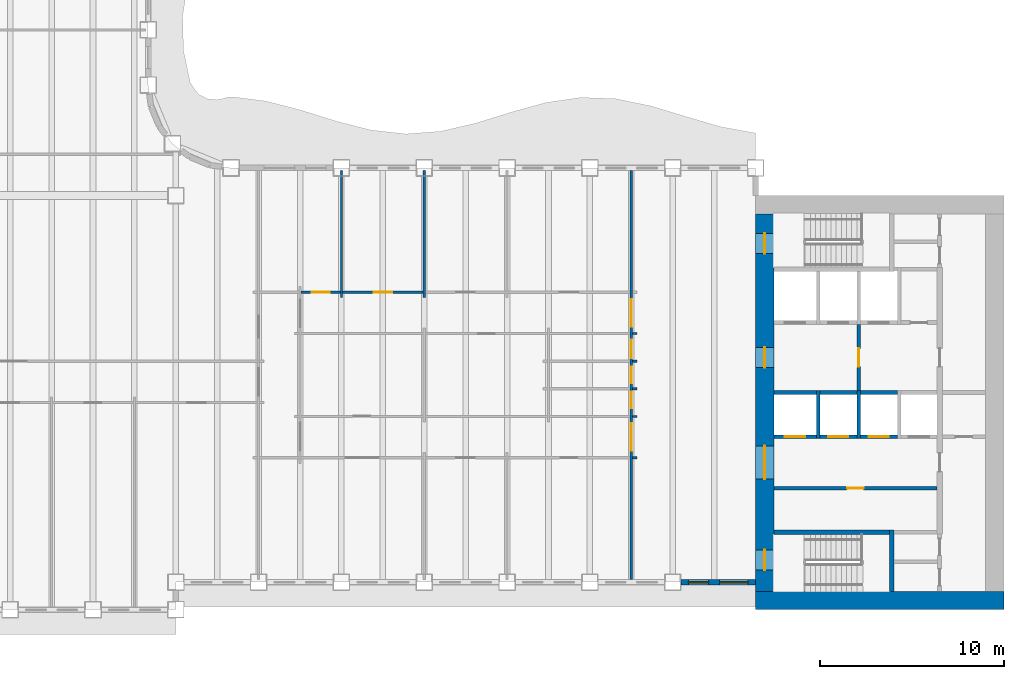
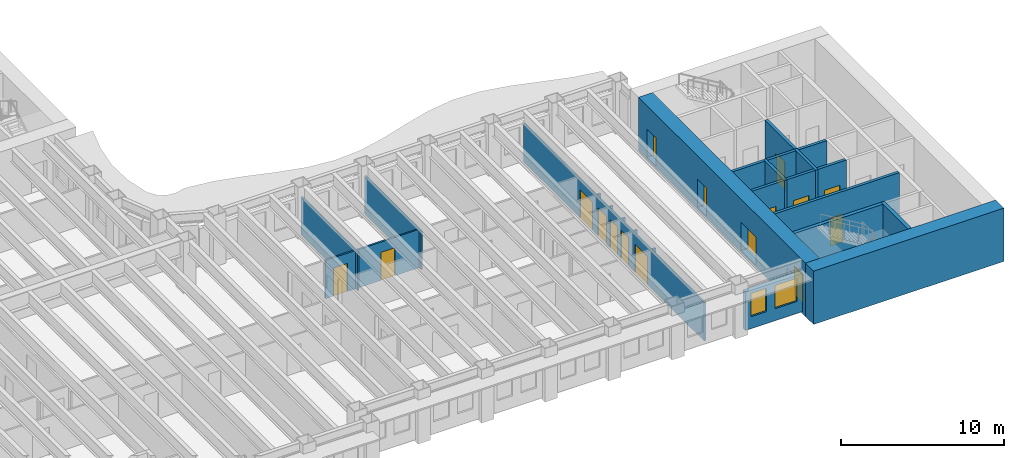
# One storey, part 6 of 16: 25 walls, 16 doors, 2 windows, 18 openings.
"""IFC4 building model written with IfcOpenShell, lengths in metres."""

from ifc_helpers import new_model, si_unit, direction, frame, frame_2d, origin, place, context, subcontext, project, spatial, rectangle, extrude, material, layer, layer_set, type_object, element, fill, save


model = new_model("IFC4")

# Units and contexts
model_context = context("Model", 3, precision=1e-05, world=origin(), true_north=direction((0.0, 1.0)))
body_context = subcontext(model_context, "Body", "Model", "MODEL_VIEW")
ifc_project = project(units=[si_unit("LENGTHUNIT", "METRE"), si_unit("AREAUNIT", "SQUARE_METRE"), si_unit("VOLUMEUNIT", "CUBIC_METRE"), si_unit("PLANEANGLEUNIT", "RADIAN"), si_unit("MASSUNIT", "GRAM", prefix="KILO")], contexts=[model_context])

# Site, building, storey
site_placement = place(None, origin())
site = spatial("IfcSite", under=ifc_project, at=site_placement, CompositionType="ELEMENT")
building_placement = place(site_placement, origin())
building = spatial("IfcBuilding", under=site, at=building_placement, Name="Sennacour Bend Tower", CompositionType="ELEMENT")
storey_placement = place(building_placement, frame((0.0, 0.0, 171.0)))
storey = spatial("IfcBuildingStorey", under=building, at=storey_placement, Name="L39", CompositionType="ELEMENT", Elevation=171.0)

# Wall
ifc_material_1 = material(Name="Concrete C60/75", Category="concrete")
ifc_layer_1 = layer(ifc_material_1, 1.0, Name="Concrete C60/75", Category="concrete")
ifc_layer_set_1 = layer_set([ifc_layer_1], Name="Concrete C60/75")
wall_type_1 = type_object("IfcWallType", Name="Core wall 1000 C60/75", PredefinedType="SHEAR", material=ifc_layer_set_1)
wall_1_placement = place(storey_placement, frame((67.5, 0.5, -0.14990234375), z_axis=(0.0, 0.0, 1.0), x_axis=(-1.0, 0.0, 0.0)))
element("IfcWall", 1, at=wall_1_placement, inside=storey, type_object=wall_type_1, Name="Core A wall L39 S", PredefinedType="SHEAR", context=body_context, shape_type="SweptSolid", body=[
    extrude(rectangle(XDim=13.5, YDim=1.0, at=frame_2d((6.75, 0.0))), origin(), (0.0, 0.0, 1.0), 4.0),
])

# Wall, openings, doors
wall_2_placement = place(storey_placement, frame((54.5, 1.0, -0.14990234375), z_axis=(0.0, 0.0, 1.0), x_axis=(0.0, 1.0, 0.0)))
wall_2 = element("IfcWall", 2, at=wall_2_placement, inside=storey, type_object=wall_type_1, Name="Core A wall L39 W", PredefinedType="SHEAR", context=body_context, shape_type="SweptSolid", body=[
    extrude(rectangle(XDim=20.5, YDim=1.0, at=frame_2d((10.25, 0.0))), origin(), (0.0, 0.0, 1.0), 4.0),
])
opening_1_placement = place(wall_2_placement, frame((6.10009765625, 0.0, 0.14990234375)))
opening_1 = element("IfcOpeningElement", 3, at=opening_1_placement, cuts=wall_2, Name="Opening CD", PredefinedType="OPENING", context=body_context, shape_type="SweptSolid", body=[
    extrude(rectangle(XDim=1.800048828125, YDim=2.10009765625, at=frame_2d((0.89990234375, 1.050048828125))), frame((0.0, 0.510009765625, 0.0), z_axis=(0.0, -1.0, 0.0), x_axis=(1.0, 0.0, 0.0)), (0.0, 0.0, 1.0), 1.02001953125),
])
opening_2_placement = place(wall_2_placement, frame((12.14990234375, 0.0, 0.14990234375)))
opening_2 = element("IfcOpeningElement", 4, at=opening_2_placement, cuts=wall_2, Name="Opening FD", PredefinedType="OPENING", context=body_context, shape_type="SweptSolid", body=[
    extrude(rectangle(XDim=1.10009765625, YDim=2.10009765625, at=frame_2d((0.550048828125, 1.050048828125))), frame((0.0, 0.510009765625, 0.0), z_axis=(0.0, -1.0, 0.0), x_axis=(1.0, 0.0, 0.0)), (0.0, 0.0, 1.0), 1.02001953125),
])
opening_3_placement = place(wall_2_placement, frame((1.14990234375, 0.0, 0.14990234375)))
opening_3 = element("IfcOpeningElement", 5, at=opening_3_placement, cuts=wall_2, Name="Opening SD", PredefinedType="OPENING", context=body_context, shape_type="SweptSolid", body=[
    extrude(rectangle(XDim=1.10009765625, YDim=2.10009765625, at=frame_2d((0.550048828125, 1.050048828125))), frame((0.0, 0.510009765625, 0.0), z_axis=(0.0, -1.0, 0.0), x_axis=(1.0, 0.0, 0.0)), (0.0, 0.0, 1.0), 1.02001953125),
])
opening_4_placement = place(wall_2_placement, frame((18.35009765625, 0.0, 0.14990234375)))
opening_4 = element("IfcOpeningElement", 6, at=opening_4_placement, cuts=wall_2, Name="Opening SD", PredefinedType="OPENING", context=body_context, shape_type="SweptSolid", body=[
    extrude(rectangle(XDim=1.10009765625, YDim=2.10009765625, at=frame_2d((0.550048828125, 1.050048828125))), frame((0.0, 0.510009765625, 0.0), z_axis=(0.0, -1.0, 0.0), x_axis=(1.0, 0.0, 0.0)), (0.0, 0.0, 1.0), 1.02001953125),
])
ifc_material_2 = material(Name="Painted steel", Category="steel")
door_type_1 = type_object("IfcDoorType", Name="DR-FFL-1100", OperationType="NOTDEFINED", PredefinedType="DOOR", material=ifc_material_2)
door_1_placement = place(opening_2_placement, origin())
door_1 = element("IfcDoor", 7, at=door_1_placement, inside=storey, type_object=door_type_1, Name="Door", OperationType="SINGLE_SWING_RIGHT", OverallHeight=2.10009765625, OverallWidth=1.10009765625, PredefinedType="DOOR", context=body_context, shape_type="SweptSolid", body=[
    extrude(rectangle(XDim=1.10009765625, YDim=2.10009765625, at=frame_2d((0.550048828125, 1.050048828125))), frame((0.0, 0.02490234375, 0.0), z_axis=(0.0, -1.0, 0.0), x_axis=(1.0, 0.0, 0.0)), (0.0, 0.0, 1.0), 0.050048828125),
])
fill(opening_2, door_1)
door_type_2 = type_object("IfcDoorType", Name="DR-LOBBY-1800", OperationType="NOTDEFINED", PredefinedType="DOOR", material=ifc_material_2)
door_2_placement = place(opening_1_placement, origin())
door_2 = element("IfcDoor", 8, at=door_2_placement, inside=storey, type_object=door_type_2, Name="Door", OperationType="DOUBLE_DOOR_SINGLE_SWING", OverallHeight=2.10009765625, OverallWidth=1.800048828125, PredefinedType="DOOR", context=body_context, shape_type="SweptSolid", body=[
    extrude(rectangle(XDim=1.800048828125, YDim=2.10009765625, at=frame_2d((0.89990234375, 1.050048828125))), frame((0.0, 0.02490234375, 0.0), z_axis=(0.0, -1.0, 0.0), x_axis=(1.0, 0.0, 0.0)), (0.0, 0.0, 1.0), 0.050048828125),
])
fill(opening_1, door_2)
door_type_3 = type_object("IfcDoorType", Name="DR-STAIR-1100", OperationType="NOTDEFINED", PredefinedType="DOOR", material=ifc_material_2)
door_3_placement = place(opening_3_placement, origin())
door_3 = element("IfcDoor", 9, at=door_3_placement, inside=storey, type_object=door_type_3, Name="Door", OperationType="SINGLE_SWING_LEFT", OverallHeight=2.10009765625, OverallWidth=1.10009765625, PredefinedType="DOOR", context=body_context, shape_type="SweptSolid", body=[
    extrude(rectangle(XDim=1.10009765625, YDim=2.10009765625, at=frame_2d((0.550048828125, 1.050048828125))), frame((0.0, 0.02490234375, 0.0), z_axis=(0.0, -1.0, 0.0), x_axis=(1.0, 0.0, 0.0)), (0.0, 0.0, 1.0), 0.050048828125),
])
fill(opening_3, door_3)
door_4_placement = place(opening_4_placement, origin())
door_4 = element("IfcDoor", 10, at=door_4_placement, inside=storey, type_object=door_type_3, Name="Door", OperationType="SINGLE_SWING_RIGHT", OverallHeight=2.10009765625, OverallWidth=1.10009765625, PredefinedType="DOOR", context=body_context, shape_type="SweptSolid", body=[
    extrude(rectangle(XDim=1.10009765625, YDim=2.10009765625, at=frame_2d((0.550048828125, 1.050048828125))), frame((0.0, 0.02490234375, 0.0), z_axis=(0.0, -1.0, 0.0), x_axis=(1.0, 0.0, 0.0)), (0.0, 0.0, 1.0), 0.050048828125),
])
fill(opening_4, door_4)

# Walls
ifc_material_3 = material(Name="Plasterboard partition on steel studs", Category="steel")
ifc_layer_2 = layer(ifc_material_3, 0.1201171875, Name="Plasterboard partition on steel studs", Category="steel")
ifc_layer_set_2 = layer_set([ifc_layer_2], Name="Plasterboard partition on steel studs")
wall_type_2 = type_object("IfcWallType", Name="Partition 120", PredefinedType="PARTITIONING", material=ifc_layer_set_2)
for number, where, z_axis, x_axis, name in (
    (11, (31.5, 16.949951171875, 0.0), (0.0, 0.0, 1.0), (0.0, 1.0, 0.0), "P-L39-W029a"),
    (12, (36.0, 16.949951171875, 0.0), (0.0, 0.0, 1.0), (0.0, 1.0, 0.0), "P-L39-W032a"),
):
    element("IfcWall", number, at=place(storey_placement, frame(where, z_axis=z_axis, x_axis=x_axis)), inside=storey, type_object=wall_type_2, Name=name, PredefinedType="PARTITIONING", context=body_context, shape_type="SweptSolid", body=[
        extrude(rectangle(XDim=6.900146484375, YDim=0.1201171875, at=frame_2d((3.4501953125, 0.0))), origin(), (0.0, 0.0, 1.0), 2.8701171875),
    ])
for number, where, z_axis, x_axis, name in (
    (13, (47.31005859375, 8.25, 0.0), (0.0, 0.0, 1.0), (1.0, 0.0, 0.0), "P-L39-W060af"),
    (14, (47.31005859375, 10.5, 0.0), (0.0, 0.0, 1.0), (1.0, 0.0, 0.0), "P-L39-W063ae"),
    (15, (47.31005859375, 12.0, 0.0), (0.0, 0.0, 1.0), (1.0, 0.0, 0.0), "P-L39-W067ac"),
    (16, (47.31005859375, 13.5, 0.0), (0.0, 0.0, 1.0), (1.0, 0.0, 0.0), "P-L39-W069ac"),
    (17, (47.31005859375, 15.0, 0.0), (0.0, 0.0, 1.0), (1.0, 0.0, 0.0), "P-L39-W070ae"),
):
    element("IfcWall", number, at=place(storey_placement, frame(where, z_axis=z_axis, x_axis=x_axis)), inside=storey, type_object=wall_type_2, Name=name, PredefinedType="PARTITIONING", context=body_context, shape_type="SweptSolid", body=[
        extrude(rectangle(XDim=0.239990234375, YDim=0.1201171875, at=frame_2d((0.1201171875, 0.0))), origin(), (0.0, 0.0, 1.0), 2.8701171875),
    ])

# Wall, opening, door
wall_3_placement = place(storey_placement, frame((29.31005859375, 17.25, 0.0), z_axis=(0.0, 0.0, 1.0), x_axis=(1.0, 0.0, 0.0)))
wall_3 = element("IfcWall", 18, at=wall_3_placement, inside=storey, type_object=wall_type_2, Name="P-L39-W073ac", PredefinedType="PARTITIONING", context=body_context, shape_type="SweptSolid", body=[
    extrude(rectangle(XDim=2.1298828125, YDim=0.1201171875, at=frame_2d((1.06494140625, 0.0))), origin(), (0.0, 0.0, 1.0), 2.8701171875),
])
opening_5_placement = place(wall_3_placement, frame((0.56494140625, 0.0, 0.0)))
opening_5 = element("IfcOpeningElement", 19, at=opening_5_placement, cuts=wall_3, Name="Opening OD2", PredefinedType="OPENING", context=body_context, shape_type="SweptSolid", body=[
    extrude(rectangle(XDim=1.0, YDim=2.10009765625, at=frame_2d((0.5, 1.050048828125))), frame((0.0, 0.070068359375, 0.0), z_axis=(0.0, -1.0, 0.0), x_axis=(1.0, 0.0, 0.0)), (0.0, 0.0, 1.0), 0.14013671875),
])
ifc_material_4 = material(Name="Timber", Category="wood")
door_type_4 = type_object("IfcDoorType", Name="DR-OFFICE-1000", OperationType="NOTDEFINED", PredefinedType="DOOR", material=ifc_material_4)
door_5_placement = place(opening_5_placement, origin())
door_5 = element("IfcDoor", 20, at=door_5_placement, inside=storey, type_object=door_type_4, Name="Door", OperationType="SINGLE_SWING_LEFT", OverallHeight=2.10009765625, OverallWidth=1.0, PredefinedType="DOOR", context=body_context, shape_type="SweptSolid", body=[
    extrude(rectangle(XDim=1.0, YDim=2.10009765625, at=frame_2d((0.5, 1.050048828125))), frame((0.0, 0.02490234375, 0.0), z_axis=(0.0, -1.0, 0.0), x_axis=(1.0, 0.0, 0.0)), (0.0, 0.0, 1.0), 0.050048828125),
])
fill(opening_5, door_5)

wall_4_placement = place(storey_placement, frame((31.56005859375, 17.25, 0.0), z_axis=(0.0, 0.0, 1.0), x_axis=(1.0, 0.0, 0.0)))
wall_4 = element("IfcWall", 21, at=wall_4_placement, inside=storey, type_object=wall_type_2, Name="P-L39-W073ad", PredefinedType="PARTITIONING", context=body_context, shape_type="SweptSolid", body=[
    extrude(rectangle(XDim=4.3798828125, YDim=0.1201171875, at=frame_2d((2.18994140625, 0.0))), origin(), (0.0, 0.0, 1.0), 2.8701171875),
])
opening_6_placement = place(wall_4_placement, frame((1.68994140625, 0.0, 0.0)))
opening_6 = element("IfcOpeningElement", 22, at=opening_6_placement, cuts=wall_4, Name="Opening OD2", PredefinedType="OPENING", context=body_context, shape_type="SweptSolid", body=[
    extrude(rectangle(XDim=1.0, YDim=2.10009765625, at=frame_2d((0.5, 1.050048828125))), frame((0.0, 0.070068359375, 0.0), z_axis=(0.0, -1.0, 0.0), x_axis=(1.0, 0.0, 0.0)), (0.0, 0.0, 1.0), 0.14013671875),
])
door_6_placement = place(opening_6_placement, origin())
door_6 = element("IfcDoor", 23, at=door_6_placement, inside=storey, type_object=door_type_4, Name="Door", OperationType="SINGLE_SWING_LEFT", OverallHeight=2.10009765625, OverallWidth=1.0, PredefinedType="DOOR", context=body_context, shape_type="SweptSolid", body=[
    extrude(rectangle(XDim=1.0, YDim=2.10009765625, at=frame_2d((0.5, 1.050048828125))), frame((0.0, 0.02490234375, 0.0), z_axis=(0.0, -1.0, 0.0), x_axis=(1.0, 0.0, 0.0)), (0.0, 0.0, 1.0), 0.050048828125),
])
fill(opening_6, door_6)

# Wall, openings, doors
ifc_layer_3 = layer(ifc_material_3, 0.1201171875, Name="Plasterboard partition on steel studs", Category="steel")
ifc_layer_set_3 = layer_set([ifc_layer_3], Name="Plasterboard partition on steel studs")
wall_type_3 = type_object("IfcWallType", Name="Partition 120 EI 30", PredefinedType="PARTITIONING", material=ifc_layer_set_3)
wall_5_placement = place(storey_placement, frame((47.25, 1.64990234375, 0.0), z_axis=(0.0, 0.0, 1.0), x_axis=(0.0, 1.0, 0.0)))
wall_5 = element("IfcWall", 24, at=wall_5_placement, inside=storey, type_object=wall_type_3, Name="P-L39-W036a", PredefinedType="PARTITIONING", context=body_context, shape_type="SweptSolid", body=[
    extrude(rectangle(XDim=22.2001953125, YDim=0.1201171875, at=frame_2d((11.10009765625, 0.0))), origin(), (0.0, 0.0, 1.0), 2.8701171875),
])
opening_7_placement = place(wall_5_placement, frame((6.97509765625, 0.0, 0.0)))
opening_7 = element("IfcOpeningElement", 25, at=opening_7_placement, cuts=wall_5, Name="Opening KD", PredefinedType="OPENING", context=body_context, shape_type="SweptSolid", body=[
    extrude(rectangle(XDim=1.5, YDim=2.10009765625, at=frame_2d((0.75, 1.050048828125))), frame((0.0, 0.070068359375, 0.0), z_axis=(0.0, -1.0, 0.0), x_axis=(1.0, 0.0, 0.0)), (0.0, 0.0, 1.0), 0.14013671875),
])
opening_8_placement = place(wall_5_placement, frame((13.72509765625, 0.0, 0.0)))
opening_8 = element("IfcOpeningElement", 26, at=opening_8_placement, cuts=wall_5, Name="Opening KD", PredefinedType="OPENING", context=body_context, shape_type="SweptSolid", body=[
    extrude(rectangle(XDim=1.5, YDim=2.10009765625, at=frame_2d((0.75, 1.050048828125))), frame((0.0, 0.070068359375, 0.0), z_axis=(0.0, -1.0, 0.0), x_axis=(1.0, 0.0, 0.0)), (0.0, 0.0, 1.0), 0.14013671875),
])
opening_9_placement = place(wall_5_placement, frame((9.2900390625, 0.0, 0.0)))
opening_9 = element("IfcOpeningElement", 27, at=opening_9_placement, cuts=wall_5, Name="Opening WD", PredefinedType="OPENING", context=body_context, shape_type="SweptSolid", body=[
    extrude(rectangle(XDim=0.89990234375, YDim=2.10009765625, at=frame_2d((0.449951171875, 1.050048828125))), frame((0.0, 0.070068359375, 0.0), z_axis=(0.0, -1.0, 0.0), x_axis=(1.0, 0.0, 0.0)), (0.0, 0.0, 1.0), 0.14013671875),
])
opening_10_placement = place(wall_5_placement, frame((10.650146484375, 0.0, 0.0)))
opening_10 = element("IfcOpeningElement", 28, at=opening_10_placement, cuts=wall_5, Name="Opening WD", PredefinedType="OPENING", context=body_context, shape_type="SweptSolid", body=[
    extrude(rectangle(XDim=0.89990234375, YDim=2.10009765625, at=frame_2d((0.449951171875, 1.050048828125))), frame((0.0, 0.070068359375, 0.0), z_axis=(0.0, -1.0, 0.0), x_axis=(1.0, 0.0, 0.0)), (0.0, 0.0, 1.0), 0.14013671875),
])
opening_11_placement = place(wall_5_placement, frame((12.010009765625, 0.0, 0.0)))
opening_11 = element("IfcOpeningElement", 29, at=opening_11_placement, cuts=wall_5, Name="Opening AD", PredefinedType="OPENING", context=body_context, shape_type="SweptSolid", body=[
    extrude(rectangle(XDim=1.0, YDim=2.10009765625, at=frame_2d((0.5, 1.050048828125))), frame((0.0, 0.070068359375, 0.0), z_axis=(0.0, -1.0, 0.0), x_axis=(1.0, 0.0, 0.0)), (0.0, 0.0, 1.0), 0.14013671875),
])
door_type_5 = type_object("IfcDoorType", Name="DR-ACC-WC-1000", OperationType="NOTDEFINED", PredefinedType="DOOR", material=ifc_material_4)
door_7_placement = place(opening_11_placement, origin())
door_7 = element("IfcDoor", 30, at=door_7_placement, inside=storey, type_object=door_type_5, Name="Door", OperationType="SINGLE_SWING_RIGHT", OverallHeight=2.10009765625, OverallWidth=1.0, PredefinedType="DOOR", context=body_context, shape_type="SweptSolid", body=[
    extrude(rectangle(XDim=1.0, YDim=2.10009765625, at=frame_2d((0.5, 1.050048828125))), frame((0.0, 0.02490234375, 0.0), z_axis=(0.0, -1.0, 0.0), x_axis=(1.0, 0.0, 0.0)), (0.0, 0.0, 1.0), 0.050048828125),
])
fill(opening_11, door_7)
door_type_6 = type_object("IfcDoorType", Name="DR-CORRIDOR-1500", OperationType="NOTDEFINED", PredefinedType="DOOR", material=ifc_material_2)
door_8_placement = place(opening_7_placement, origin())
door_8 = element("IfcDoor", 31, at=door_8_placement, inside=storey, type_object=door_type_6, Name="Door", OperationType="SINGLE_SWING_LEFT", OverallHeight=2.10009765625, OverallWidth=1.5, PredefinedType="DOOR", context=body_context, shape_type="SweptSolid", body=[
    extrude(rectangle(XDim=1.5, YDim=2.10009765625, at=frame_2d((0.75, 1.050048828125))), frame((0.0, 0.02490234375, 0.0), z_axis=(0.0, -1.0, 0.0), x_axis=(1.0, 0.0, 0.0)), (0.0, 0.0, 1.0), 0.050048828125),
])
fill(opening_7, door_8)
door_9_placement = place(opening_8_placement, origin())
door_9 = element("IfcDoor", 32, at=door_9_placement, inside=storey, type_object=door_type_6, Name="Door", OperationType="SINGLE_SWING_RIGHT", OverallHeight=2.10009765625, OverallWidth=1.5, PredefinedType="DOOR", context=body_context, shape_type="SweptSolid", body=[
    extrude(rectangle(XDim=1.5, YDim=2.10009765625, at=frame_2d((0.75, 1.050048828125))), frame((0.0, 0.02490234375, 0.0), z_axis=(0.0, -1.0, 0.0), x_axis=(1.0, 0.0, 0.0)), (0.0, 0.0, 1.0), 0.050048828125),
])
fill(opening_8, door_9)
door_type_7 = type_object("IfcDoorType", Name="DR-WC-900", OperationType="NOTDEFINED", PredefinedType="DOOR", material=ifc_material_4)
door_10_placement = place(opening_9_placement, origin())
door_10 = element("IfcDoor", 33, at=door_10_placement, inside=storey, type_object=door_type_7, Name="Door", OperationType="SINGLE_SWING_LEFT", OverallHeight=2.10009765625, OverallWidth=0.89990234375, PredefinedType="DOOR", context=body_context, shape_type="SweptSolid", body=[
    extrude(rectangle(XDim=0.89990234375, YDim=2.10009765625, at=frame_2d((0.449951171875, 1.050048828125))), frame((0.0, 0.02490234375, 0.0), z_axis=(0.0, -1.0, 0.0), x_axis=(1.0, 0.0, 0.0)), (0.0, 0.0, 1.0), 0.050048828125),
])
fill(opening_9, door_10)
door_11_placement = place(opening_10_placement, origin())
door_11 = element("IfcDoor", 34, at=door_11_placement, inside=storey, type_object=door_type_7, Name="Door", OperationType="SINGLE_SWING_RIGHT", OverallHeight=2.10009765625, OverallWidth=0.89990234375, PredefinedType="DOOR", context=body_context, shape_type="SweptSolid", body=[
    extrude(rectangle(XDim=0.89990234375, YDim=2.10009765625, at=frame_2d((0.449951171875, 1.050048828125))), frame((0.0, 0.02490234375, 0.0), z_axis=(0.0, -1.0, 0.0), x_axis=(1.0, 0.0, 0.0)), (0.0, 0.0, 1.0), 0.050048828125),
])
fill(opening_10, door_11)

# Wall, opening, door
ifc_material_5 = material(Name="Fire-rated plasterboard partition on steel studs", Category="steel")
ifc_layer_4 = layer(ifc_material_5, 0.199951171875, Name="Fire-rated plasterboard partition on steel studs", Category="steel")
ifc_layer_set_4 = layer_set([ifc_layer_4], Name="Fire-rated plasterboard partition on steel studs")
wall_type_4 = type_object("IfcWallType", Name="Rated partition 200", PredefinedType="PARTITIONING", material=ifc_layer_set_4)
wall_6_placement = place(storey_placement, frame((55.0, 6.60009765625, 0.0), z_axis=(0.0, 0.0, 1.0), x_axis=(1.0, 0.0, 0.0)))
wall_6 = element("IfcWall", 35, at=wall_6_placement, inside=storey, type_object=wall_type_4, Name="P-L39-W059", PredefinedType="PARTITIONING", context=body_context, shape_type="SweptSolid", body=[
    extrude(rectangle(XDim=8.85009765625, YDim=0.199951171875, at=frame_2d((4.425048828125, 0.0))), origin(), (0.0, 0.0, 1.0), 3.85009765625),
])
opening_12_placement = place(wall_6_placement, frame((3.97509765625, 0.0, 0.0)))
opening_12 = element("IfcOpeningElement", 36, at=opening_12_placement, cuts=wall_6, Name="Opening SV", PredefinedType="OPENING", context=body_context, shape_type="SweptSolid", body=[
    extrude(rectangle(XDim=0.89990234375, YDim=2.10009765625, at=frame_2d((0.449951171875, 1.050048828125))), frame((0.0, 0.10986328125, 0.0), z_axis=(0.0, -1.0, 0.0), x_axis=(1.0, 0.0, 0.0)), (0.0, 0.0, 1.0), 0.219970703125),
])
door_type_8 = type_object("IfcDoorType", Name="DR-SERVICE-900", OperationType="NOTDEFINED", PredefinedType="DOOR", material=ifc_material_2)
door_12_placement = place(opening_12_placement, origin())
door_12 = element("IfcDoor", 37, at=door_12_placement, inside=storey, type_object=door_type_8, Name="Door", OperationType="SINGLE_SWING_LEFT", OverallHeight=2.10009765625, OverallWidth=0.89990234375, PredefinedType="DOOR", context=body_context, shape_type="SweptSolid", body=[
    extrude(rectangle(XDim=0.89990234375, YDim=2.10009765625, at=frame_2d((0.449951171875, 1.050048828125))), frame((0.0, 0.02490234375, 0.0), z_axis=(0.0, -1.0, 0.0), x_axis=(1.0, 0.0, 0.0)), (0.0, 0.0, 1.0), 0.050048828125),
])
fill(opening_12, door_12)

ifc_layer_5 = layer(ifc_material_5, 0.199951171875, Name="Fire-rated plasterboard partition on steel studs", Category="steel")
ifc_layer_set_5 = layer_set([ifc_layer_5], Name="Fire-rated plasterboard partition on steel studs")
wall_type_5 = type_object("IfcWallType", Name="Rated partition 200 EI 90", PredefinedType="PARTITIONING", material=ifc_layer_set_5)
wall_7_placement = place(storey_placement, frame((59.60009765625, 11.89990234375, 0.0), z_axis=(0.0, 0.0, 1.0), x_axis=(0.0, 1.0, 0.0)))
wall_7 = element("IfcWall", 38, at=wall_7_placement, inside=storey, type_object=wall_type_5, Name="P-L39-W041", PredefinedType="PARTITIONING", context=body_context, shape_type="SweptSolid", body=[
    extrude(rectangle(XDim=3.60009765625, YDim=0.199951171875, at=frame_2d((1.800048828125, 0.0))), origin(), (0.0, 0.0, 1.0), 3.85009765625),
])
opening_13_placement = place(wall_7_placement, frame((1.300048828125, 0.0, 0.0)))
opening_13 = element("IfcOpeningElement", 39, at=opening_13_placement, cuts=wall_7, Name="Opening FD2", PredefinedType="OPENING", context=body_context, shape_type="SweptSolid", body=[
    extrude(rectangle(XDim=1.0, YDim=2.10009765625, at=frame_2d((0.5, 1.050048828125))), frame((0.0, 0.10986328125, 0.0), z_axis=(0.0, -1.0, 0.0), x_axis=(1.0, 0.0, 0.0)), (0.0, 0.0, 1.0), 0.219970703125),
])
door_type_9 = type_object("IfcDoorType", Name="DR-FFL-1000", OperationType="NOTDEFINED", PredefinedType="DOOR", material=ifc_material_2)
door_13_placement = place(opening_13_placement, origin())
door_13 = element("IfcDoor", 40, at=door_13_placement, inside=storey, type_object=door_type_9, Name="Door", OperationType="SINGLE_SWING_LEFT", OverallHeight=2.10009765625, OverallWidth=1.0, PredefinedType="DOOR", context=body_context, shape_type="SweptSolid", body=[
    extrude(rectangle(XDim=1.0, YDim=2.10009765625, at=frame_2d((0.5, 1.050048828125))), frame((0.0, 0.02490234375, 0.0), z_axis=(0.0, -1.0, 0.0), x_axis=(1.0, 0.0, 0.0)), (0.0, 0.0, 1.0), 0.050048828125),
])
fill(opening_13, door_13)

# Wall, openings, windows
ifc_material_6 = material(Name="Warm limestone cladding", Category="masonry")
ifc_layer_6 = layer(ifc_material_6, 0.050048828125, Name="Warm limestone cladding", Category="masonry")
ifc_material_7 = material(Name="Precast concrete C40/50", Category="concrete")
ifc_layer_7 = layer(ifc_material_7, 0.25, Name="Precast concrete C40/50", Category="concrete")
ifc_layer_set_6 = layer_set([ifc_layer_6, ifc_layer_7], Name="Precast concrete C40/50 with limestone cladding")
wall_type_6 = type_object("IfcWallType", Name="STONE-CLAD PRECAST SPANDREL 300", PredefinedType="STANDARD", material=ifc_layer_set_6)
wall_8_placement = place(storey_placement, frame((49.949951171875, 1.5, 0.0), z_axis=(0.0, 0.0, 1.0), x_axis=(1.0, 0.0, 0.0)))
wall_8 = element("IfcWall", 41, at=wall_8_placement, inside=storey, type_object=wall_type_6, Name="Stone spandrel and pier wall L39 02.06", PredefinedType="STANDARD", context=body_context, shape_type="SweptSolid", body=[
    extrude(rectangle(XDim=4.050048828125, YDim=0.300048828125, at=frame_2d((2.02490234375, 0.0))), origin(), (0.0, 0.0, 1.0), 2.8701171875),
])
opening_14_placement = place(wall_8_placement, frame((0.39990234375, 0.0, 0.89990234375)))
opening_14 = element("IfcOpeningElement", 42, at=opening_14_placement, cuts=wall_8, Name="Opening W17", PredefinedType="OPENING", context=body_context, shape_type="SweptSolid", body=[
    extrude(rectangle(XDim=1.10009765625, YDim=1.75, at=frame_2d((0.550048828125, 0.875))), frame((0.0, 0.16015625, 0.0), z_axis=(0.0, -1.0, 0.0), x_axis=(1.0, 0.0, 0.0)), (0.0, 0.0, 1.0), 0.320068359375),
])
opening_15_placement = place(wall_8_placement, frame((2.10009765625, 0.0, 0.89990234375)))
opening_15 = element("IfcOpeningElement", 43, at=opening_15_placement, cuts=wall_8, Name="Opening W12", PredefinedType="OPENING", context=body_context, shape_type="SweptSolid", body=[
    extrude(rectangle(XDim=1.550048828125, YDim=1.75, at=frame_2d((0.77490234375, 0.875))), frame((0.0, 0.16015625, 0.0), z_axis=(0.0, -1.0, 0.0), x_axis=(1.0, 0.0, 0.0)), (0.0, 0.0, 1.0), 0.320068359375),
])
ifc_material_8 = material(Name="Clear low-emissivity glass", Category="glass")
window_type_1 = type_object("IfcWindowType", Name="WIN-RIBBON-1100x1750", PartitioningType="SINGLE_PANEL", PredefinedType="WINDOW", material=ifc_material_8)
window_1_placement = place(opening_14_placement, origin())
window_1 = element("IfcWindow", 44, at=window_1_placement, inside=storey, type_object=window_type_1, Name="Ribbon window L39 02.06.0", OverallHeight=1.75, OverallWidth=1.10009765625, PartitioningType="SINGLE_PANEL", PredefinedType="WINDOW", context=body_context, shape_type="SweptSolid", body=[
    extrude(rectangle(XDim=1.10009765625, YDim=1.75, at=frame_2d((0.550048828125, 0.875))), frame((0.0, 0.030029296875, 0.0), z_axis=(0.0, -1.0, 0.0), x_axis=(1.0, 0.0, 0.0)), (0.0, 0.0, 1.0), 0.06005859375),
])
fill(opening_14, window_1)
window_type_2 = type_object("IfcWindowType", Name="WIN-RIBBON-1550x1750", PartitioningType="SINGLE_PANEL", PredefinedType="WINDOW", material=ifc_material_8)
window_2_placement = place(opening_15_placement, origin())
window_2 = element("IfcWindow", 45, at=window_2_placement, inside=storey, type_object=window_type_2, Name="Ribbon window L39 02.06.1", OverallHeight=1.75, OverallWidth=1.550048828125, PartitioningType="SINGLE_PANEL", PredefinedType="WINDOW", context=body_context, shape_type="SweptSolid", body=[
    extrude(rectangle(XDim=1.550048828125, YDim=1.75, at=frame_2d((0.77490234375, 0.875))), frame((0.0, 0.030029296875, 0.0), z_axis=(0.0, -1.0, 0.0), x_axis=(1.0, 0.0, 0.0)), (0.0, 0.0, 1.0), 0.06005859375),
])
fill(opening_15, window_2)

# Walls
ifc_material_9 = material(Name="Concrete C50/60", Category="concrete")
ifc_layer_8 = layer(ifc_material_9, 0.199951171875, Name="Concrete C50/60", Category="concrete")
ifc_layer_set_7 = layer_set([ifc_layer_8], Name="Concrete C50/60")
wall_type_7 = type_object("IfcWallType", Name="Shaft wall 200", PredefinedType="SOLIDWALL", material=ifc_layer_set_7)
for number, where, z_axis, x_axis, name in (
    (46, (57.39990234375, 9.300048828125, 0.0), (0.0, 0.0, 1.0), (0.0, 1.0, 0.0), "P-L39-W038"),
    (47, (59.60009765625, 9.300048828125, 0.0), (0.0, 0.0, 1.0), (0.0, 1.0, 0.0), "P-L39-W040"),
):
    element("IfcWall", number, at=place(storey_placement, frame(where, z_axis=z_axis, x_axis=x_axis)), inside=storey, type_object=wall_type_7, Name=name, PredefinedType="SOLIDWALL", context=body_context, shape_type="SweptSolid", body=[
        extrude(rectangle(XDim=2.599853515625, YDim=0.199951171875, at=frame_2d((1.2998046875, 0.0))), origin(), (0.0, 0.0, 1.0), 3.85009765625),
    ])

# Wall, opening, door
wall_9_placement = place(storey_placement, frame((55.0, 9.39990234375, 0.0), z_axis=(0.0, 0.0, 1.0), x_axis=(1.0, 0.0, 0.0)))
wall_9 = element("IfcWall", 48, at=wall_9_placement, inside=storey, type_object=wall_type_7, Name="P-L39-W061a", PredefinedType="SOLIDWALL", context=body_context, shape_type="SweptSolid", body=[
    extrude(rectangle(XDim=2.300048828125, YDim=0.199951171875, at=frame_2d((1.14990234375, 0.0))), origin(), (0.0, 0.0, 1.0), 3.85009765625),
])
opening_16_placement = place(wall_9_placement, frame((0.60009765625, 0.0, 0.011962890625)))
opening_16 = element("IfcOpeningElement", 49, at=opening_16_placement, cuts=wall_9, Name="Opening LD", PredefinedType="OPENING", context=body_context, shape_type="SweptSolid", body=[
    extrude(rectangle(XDim=1.10009765625, YDim=2.10009765625, at=frame_2d((0.550048828125, 1.050048828125))), frame((0.0, 0.10986328125, 0.0), z_axis=(0.0, -1.0, 0.0), x_axis=(1.0, 0.0, 0.0)), (0.0, 0.0, 1.0), 0.219970703125),
])
ifc_material_10 = material(Name="Stainless steel", Category="steel")
door_type_10 = type_object("IfcDoorType", Name="DR-LANDING-1100", OperationType="NOTDEFINED", PredefinedType="DOOR", material=ifc_material_10)
door_14_placement = place(opening_16_placement, origin())
door_14 = element("IfcDoor", 50, at=door_14_placement, inside=storey, type_object=door_type_10, Name="Lift landing door HA1", OperationType="SLIDING_TO_LEFT", OverallHeight=2.10009765625, OverallWidth=1.10009765625, PredefinedType="DOOR", context=body_context, shape_type="SweptSolid", body=[
    extrude(rectangle(XDim=1.10009765625, YDim=2.10009765625, at=frame_2d((0.550048828125, 1.050048828125))), frame((0.0, 0.02490234375, 0.0), z_axis=(0.0, -1.0, 0.0), x_axis=(1.0, 0.0, 0.0)), (0.0, 0.0, 1.0), 0.050048828125),
])
fill(opening_16, door_14)

wall_10_placement = place(storey_placement, frame((57.5, 9.39990234375, 0.0), z_axis=(0.0, 0.0, 1.0), x_axis=(1.0, 0.0, 0.0)))
wall_10 = element("IfcWall", 51, at=wall_10_placement, inside=storey, type_object=wall_type_7, Name="P-L39-W061b", PredefinedType="SOLIDWALL", context=body_context, shape_type="SweptSolid", body=[
    extrude(rectangle(XDim=2.0, YDim=0.199951171875, at=frame_2d((1.0, 0.0))), origin(), (0.0, 0.0, 1.0), 3.85009765625),
])
opening_17_placement = place(wall_10_placement, frame((0.449951171875, 0.0, 0.011962890625)))
opening_17 = element("IfcOpeningElement", 52, at=opening_17_placement, cuts=wall_10, Name="Opening LD", PredefinedType="OPENING", context=body_context, shape_type="SweptSolid", body=[
    extrude(rectangle(XDim=1.10009765625, YDim=2.10009765625, at=frame_2d((0.550048828125, 1.050048828125))), frame((0.0, 0.10986328125, 0.0), z_axis=(0.0, -1.0, 0.0), x_axis=(1.0, 0.0, 0.0)), (0.0, 0.0, 1.0), 0.219970703125),
])
door_15_placement = place(opening_17_placement, origin())
door_15 = element("IfcDoor", 53, at=door_15_placement, inside=storey, type_object=door_type_10, Name="Lift landing door HA2", OperationType="SLIDING_TO_RIGHT", OverallHeight=2.10009765625, OverallWidth=1.10009765625, PredefinedType="DOOR", context=body_context, shape_type="SweptSolid", body=[
    extrude(rectangle(XDim=1.10009765625, YDim=2.10009765625, at=frame_2d((0.550048828125, 1.050048828125))), frame((0.0, 0.02490234375, 0.0), z_axis=(0.0, -1.0, 0.0), x_axis=(1.0, 0.0, 0.0)), (0.0, 0.0, 1.0), 0.050048828125),
])
fill(opening_17, door_15)

wall_11_placement = place(storey_placement, frame((59.699951171875, 9.39990234375, 0.0), z_axis=(0.0, 0.0, 1.0), x_axis=(1.0, 0.0, 0.0)))
wall_11 = element("IfcWall", 54, at=wall_11_placement, inside=storey, type_object=wall_type_7, Name="P-L39-W061c", PredefinedType="SOLIDWALL", context=body_context, shape_type="SweptSolid", body=[
    extrude(rectangle(XDim=2.0, YDim=0.199951171875, at=frame_2d((1.0, 0.0))), origin(), (0.0, 0.0, 1.0), 3.85009765625),
])
opening_18_placement = place(wall_11_placement, frame((0.449951171875, 0.0, 0.011962890625)))
opening_18 = element("IfcOpeningElement", 55, at=opening_18_placement, cuts=wall_11, Name="Opening LD", PredefinedType="OPENING", context=body_context, shape_type="SweptSolid", body=[
    extrude(rectangle(XDim=1.10009765625, YDim=2.10009765625, at=frame_2d((0.550048828125, 1.050048828125))), frame((0.0, 0.10986328125, 0.0), z_axis=(0.0, -1.0, 0.0), x_axis=(1.0, 0.0, 0.0)), (0.0, 0.0, 1.0), 0.219970703125),
])
door_16_placement = place(opening_18_placement, origin())
door_16 = element("IfcDoor", 56, at=door_16_placement, inside=storey, type_object=door_type_10, Name="Lift landing door HA3", OperationType="SLIDING_TO_LEFT", OverallHeight=2.10009765625, OverallWidth=1.10009765625, PredefinedType="DOOR", context=body_context, shape_type="SweptSolid", body=[
    extrude(rectangle(XDim=1.10009765625, YDim=2.10009765625, at=frame_2d((0.550048828125, 1.050048828125))), frame((0.0, 0.02490234375, 0.0), z_axis=(0.0, -1.0, 0.0), x_axis=(1.0, 0.0, 0.0)), (0.0, 0.0, 1.0), 0.050048828125),
])
fill(opening_18, door_16)

# Walls
wall_12_placement = place(storey_placement, frame((55.0, 11.800048828125, 0.0), z_axis=(0.0, 0.0, 1.0), x_axis=(1.0, 0.0, 0.0)))
element("IfcWall", 57, at=wall_12_placement, inside=storey, type_object=wall_type_7, Name="P-L39-W065a", PredefinedType="SOLIDWALL", context=body_context, shape_type="SweptSolid", body=[
    extrude(rectangle(XDim=2.300048828125, YDim=0.199951171875, at=frame_2d((1.14990234375, 0.0))), origin(), (0.0, 0.0, 1.0), 3.85009765625),
])
for number, where, z_axis, x_axis, name in (
    (58, (57.5, 11.800048828125, 0.0), (0.0, 0.0, 1.0), (1.0, 0.0, 0.0), "P-L39-W065b"),
    (59, (59.699951171875, 11.800048828125, 0.0), (0.0, 0.0, 1.0), (1.0, 0.0, 0.0), "P-L39-W065c"),
):
    element("IfcWall", number, at=place(storey_placement, frame(where, z_axis=z_axis, x_axis=x_axis)), inside=storey, type_object=wall_type_7, Name=name, PredefinedType="SOLIDWALL", context=body_context, shape_type="SweptSolid", body=[
        extrude(rectangle(XDim=2.0, YDim=0.199951171875, at=frame_2d((1.0, 0.0))), origin(), (0.0, 0.0, 1.0), 3.85009765625),
    ])
ifc_layer_9 = layer(ifc_material_1, 0.25, Name="Concrete C60/75", Category="concrete")
ifc_layer_set_8 = layer_set([ifc_layer_9], Name="Concrete C60/75")
wall_type_8 = type_object("IfcWallType", Name="Stair wall 250", PredefinedType="SHEAR", material=ifc_layer_set_8)
wall_13_placement = place(storey_placement, frame((61.39990234375, 1.0, 0.0), z_axis=(0.0, 0.0, 1.0), x_axis=(0.0, 1.0, 0.0)))
element("IfcWall", 60, at=wall_13_placement, inside=storey, type_object=wall_type_8, Name="P-L39-W043", PredefinedType="SHEAR", context=body_context, shape_type="SweptSolid", body=[
    extrude(rectangle(XDim=3.324951171875, YDim=0.25, at=frame_2d((1.66259765625, 0.0))), origin(), (0.0, 0.0, 1.0), 3.85009765625),
])
wall_14_placement = place(storey_placement, frame((55.0, 4.199951171875, 0.0), z_axis=(0.0, 0.0, 1.0), x_axis=(1.0, 0.0, 0.0)))
element("IfcWall", 61, at=wall_14_placement, inside=storey, type_object=wall_type_8, Name="P-L39-W057", PredefinedType="SHEAR", context=body_context, shape_type="SweptSolid", body=[
    extrude(rectangle(XDim=6.27490234375, YDim=0.25, at=frame_2d((3.137451171875, 0.0))), origin(), (0.0, 0.0, 1.0), 3.85009765625),
])

save(model, "model.ifc")
